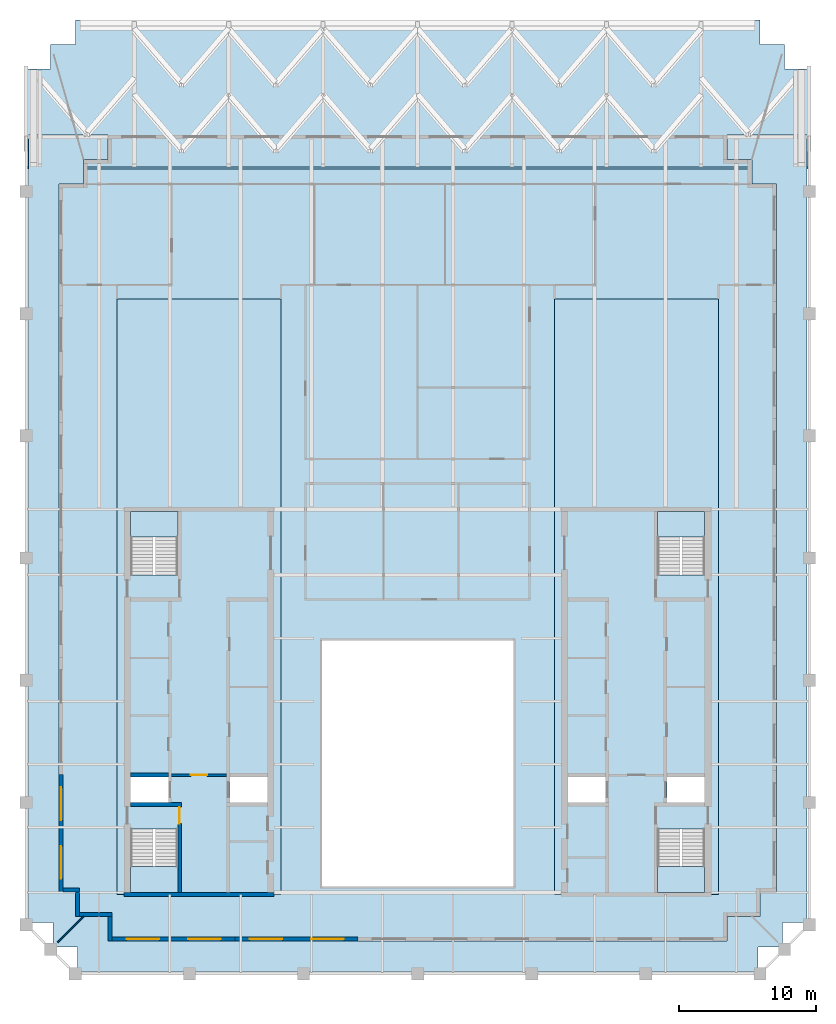
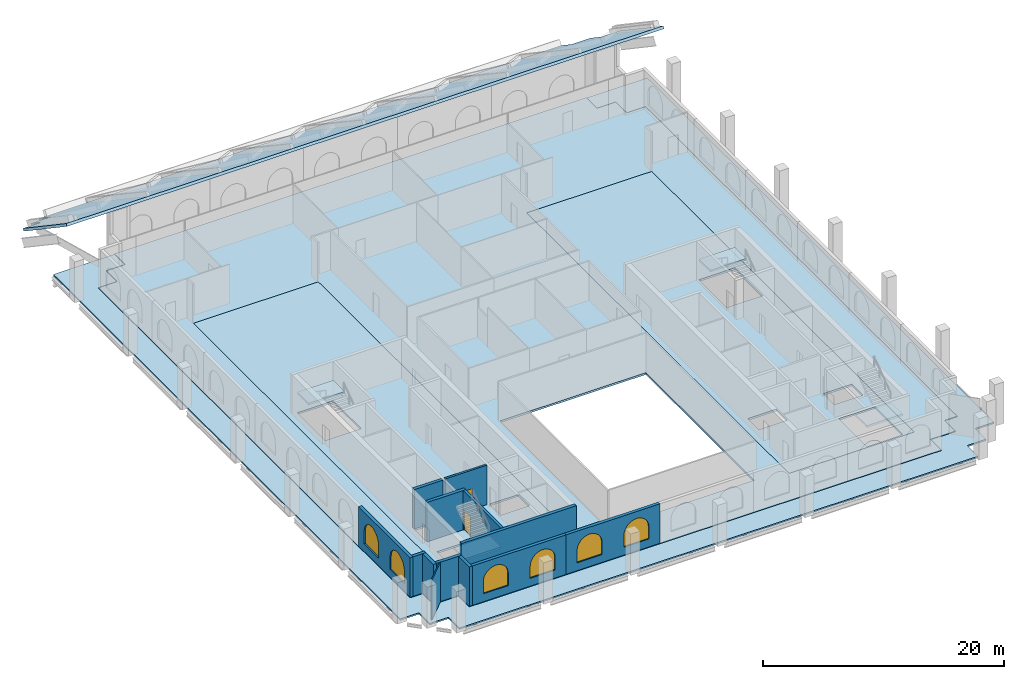
# One storey, part 2 of 10: 13 walls, 9 slabs, 6 windows, 2 doors, 8 openings, 4 elements without a shape of their own.
"""IFC4 building model written with IfcOpenShell, lengths in metres."""

import ifcopenshell
import ifcopenshell.guid

model = None  # the IFC model being written
_history = None  # IfcOwnerHistory: only IFC2X3 demands one
_inside = {}  # id of a spatial element -> (the spatial element, [elements in it])
_under = {}  # id of a project, library or spatial element -> (it, [spatial elements below it])
_declared = {}  # id of a project -> (the project, [libraries it declares])
_typed = {}  # id of a type object -> (the type object, [elements of that type])
_made_of = {}  # id of a material, layer set ... -> (it, [elements and type objects made of it])


def new_model(schema):
    """Start an empty IFC model of exactly this schema.

    Asked for "IFC4X3", IfcOpenShell would pick the latest addendum, in which some entities
    have other attributes; the version numbers below select the first issue.
    IFC2X3 requires an IfcOwnerHistory on every rooted entity: one is made here for all.
    """
    global model, _history
    if schema == "IFC4X3":
        model = ifcopenshell.file(schema_version=(4, 3, 0, 0))
    else:
        model = ifcopenshell.file(schema=schema)
    _inside.clear()
    _under.clear()
    _declared.clear()
    _typed.clear()
    _made_of.clear()
    _history = None
    if model.schema == "IFC2X3":
        org = make("IfcOrganization", Name="unknown")
        user = make(
            "IfcPersonAndOrganization",
            ThePerson=make("IfcPerson", FamilyName="unknown"),
            TheOrganization=org,
        )
        app = make(
            "IfcApplication",
            ApplicationDeveloper=org,
            Version="unknown",
            ApplicationFullName="unknown",
            ApplicationIdentifier="unknown",
        )
        _history = make(
            "IfcOwnerHistory",
            OwningUser=user,
            OwningApplication=app,
            ChangeAction="ADDED",
            CreationDate=0,
        )
    return model


def make(cls, **values):
    """One entity of the class cls with the attributes given. An attribute that is None is left unset."""
    return model.create_entity(
        cls, **{name: value for name, value in values.items() if value is not None}
    )


def rooted(cls, **values):
    """An entity with a GlobalId (a new one), such as an element, a storey or a relation."""
    return make(cls, GlobalId=ifcopenshell.guid.new(), OwnerHistory=_history, **values)


def si_unit(unit_type, name, prefix=None):
    """IfcSIUnit, for example si_unit("LENGTHUNIT", "METRE", prefix="MILLI")."""
    return make("IfcSIUnit", UnitType=unit_type, Prefix=prefix, Name=name)


def assignment(units):
    """IfcUnitAssignment: the units of a project."""
    return None if units is None else make("IfcUnitAssignment", Units=units)


def point(xyz):
    """IfcCartesianPoint."""
    return None if xyz is None else make("IfcCartesianPoint", Coordinates=xyz)


def direction(xyz):
    """IfcDirection."""
    return None if xyz is None else make("IfcDirection", DirectionRatios=xyz)


def frame(location, z_axis=None, x_axis=None):
    """IfcAxis2Placement3D, a coordinate frame: its origin and axes. An axis left out is left unset."""
    return make(
        "IfcAxis2Placement3D",
        Location=point(location),
        Axis=direction(z_axis),
        RefDirection=direction(x_axis),
    )


def frame_2d(location, x_axis=None):
    """IfcAxis2Placement2D, a coordinate frame in the plane: its origin and x axis."""
    return make(
        "IfcAxis2Placement2D", Location=point(location), RefDirection=direction(x_axis)
    )


def origin():
    """The frame at (0, 0, 0) with its axes left unset."""
    return frame((0.0, 0.0, 0.0))


def place(relative_to, where):
    """IfcLocalPlacement: puts the frame where relative to a parent placement (None: the world)."""
    return make(
        "IfcLocalPlacement", PlacementRelTo=relative_to, RelativePlacement=where
    )


def context(
    kind, dimensions, precision=None, world=None, true_north=None, identifier=None
):
    """IfcGeometricRepresentationContext, for example the 3D "Model" context."""
    return make(
        "IfcGeometricRepresentationContext",
        ContextIdentifier=identifier,
        ContextType=kind,
        CoordinateSpaceDimension=dimensions,
        Precision=precision,
        WorldCoordinateSystem=world,
        TrueNorth=true_north,
    )


def subcontext(parent, identifier, kind, view, scale=None):
    """IfcGeometricRepresentationSubContext, for example "Body" below "Model"."""
    return make(
        "IfcGeometricRepresentationSubContext",
        ContextIdentifier=identifier,
        ContextType=kind,
        ParentContext=parent,
        TargetScale=scale,
        TargetView=view,
    )


def project(units=None, contexts=None):
    """IfcProject with its units and contexts."""
    return rooted(
        "IfcProject",
        Name="project",
        RepresentationContexts=contexts,
        UnitsInContext=assignment(units),
    )


def spatial(cls, under=None, at=None, **own):
    """A site, building, storey or space (cls), placed at a placement, below another one or the project."""
    s = rooted(cls, ObjectPlacement=at, **own)
    if under is not None:
        _under.setdefault(under.id(), (under, []))[1].append(s)
    return s


def polyline(points):
    """IfcPolyline through the points."""
    return make("IfcPolyline", Points=[point(p) for p in points])


def profile(cls, at=None, kind="AREA", **sizes):
    """A parametric profile (cls). Its sizes go by their IFC names, for example OverallWidth=200.0."""
    return make(cls, ProfileType=kind, Position=at, **sizes)


def rectangle(**sizes):
    """IfcRectangleProfileDef."""
    return profile("IfcRectangleProfileDef", **sizes)


def outline(outer, holes=None, kind="AREA"):
    """IfcArbitraryClosedProfileDef: a profile drawn as a closed curve; with holes, ...WithVoids."""
    if holes is None:
        return make("IfcArbitraryClosedProfileDef", ProfileType=kind, OuterCurve=outer)
    return make(
        "IfcArbitraryProfileDefWithVoids",
        ProfileType=kind,
        OuterCurve=outer,
        InnerCurves=holes,
    )


def extrude(swept, where, along, depth):
    """IfcExtrudedAreaSolid: the profile swept, set in the frame where, extruded along a direction by depth."""
    return make(
        "IfcExtrudedAreaSolid",
        SweptArea=swept,
        Position=where,
        ExtrudedDirection=direction(along),
        Depth=depth,
    )


def shape(context_of_items, identifier, shape_type, items):
    """IfcShapeRepresentation: the items that make up one representation, for example the "Body"."""
    return make(
        "IfcShapeRepresentation",
        ContextOfItems=context_of_items,
        RepresentationIdentifier=identifier,
        RepresentationType=shape_type,
        Items=items,
    )


def material(Name=None, Category=None):
    """IfcMaterial."""
    return make("IfcMaterial", Name=Name, Category=Category)


def layer(
    of_material, thickness, ventilated=None, Name=None, Category=None, Priority=None
):
    """IfcMaterialLayer: one layer of a wall or slab, of a material (None: an air gap)."""
    return make(
        "IfcMaterialLayer",
        Material=of_material,
        LayerThickness=thickness,
        IsVentilated=ventilated,
        Name=Name,
        Category=Category,
        Priority=Priority,
    )


def layer_set(layers, Name=None):
    """IfcMaterialLayerSet."""
    return make("IfcMaterialLayerSet", MaterialLayers=layers, LayerSetName=Name)


def made_of(thing, what):
    """Note that an element or type object is made of a material, layer set ...; save() writes the relation."""
    if what is not None:
        _made_of.setdefault(what.id(), (what, []))[1].append(thing)
    return thing


def type_object(cls, material=None, **own):
    """A type object (cls), such as IfcWallType, which elements share."""
    return made_of(rooted(cls, **own), material)


def element(
    cls,
    number,
    at=None,
    inside=None,
    cuts=None,
    type_object=None,
    material=None,
    context=None,
    identifier="Body",
    shape_type=None,
    held_by="IfcProductDefinitionShape",
    body=None,
    shapes=None,
    **own,
):
    """One element of the class cls, such as IfcWall. Its Tag is "e" and its number.

    at: its placement. inside: the storey or other place that contains it. cuts: it is an
    opening in that element (IfcRelVoidsElement). A single representation is given by context,
    identifier, shape_type and body (its items); several are given by shapes. held_by: the class
    of the entity that holds the representations. save() writes the other relations.
    """
    e = rooted(cls, Tag="e%d" % number, ObjectPlacement=at, **own)
    if body is not None:
        shapes = [shape(context, identifier, shape_type, body)]
    if shapes is not None:
        e.Representation = make(held_by, Representations=shapes)
    if inside is not None:
        _inside.setdefault(inside.id(), (inside, []))[1].append(e)
    if cuts is not None:
        rooted(
            "IfcRelVoidsElement", RelatingBuildingElement=cuts, RelatedOpeningElement=e
        )
    if type_object is not None:
        _typed.setdefault(type_object.id(), (type_object, []))[1].append(e)
    return made_of(e, material)


def fill(opening, filler):
    """IfcRelFillsElement: the door or window that sits in an opening."""
    return rooted(
        "IfcRelFillsElement",
        RelatingOpeningElement=opening,
        RelatedBuildingElement=filler,
    )


def aggregate(whole, parts):
    """IfcRelAggregates: a whole, such as a stair, and the parts it consists of."""
    return rooted("IfcRelAggregates", RelatingObject=whole, RelatedObjects=parts)


def save(model, path):
    """Write the relations noted so far, then the file.

    IfcRelAggregates (storeys below a building ...), IfcRelContainedInSpatialStructure (elements
    in a storey), IfcRelDefinesByType, IfcRelAssociatesMaterial and IfcRelDeclares: one each for
    every whole, place, type object, material and project.
    """
    for whole, parts in _under.values():
        aggregate(whole, parts)
    for where, things in _inside.values():
        rooted(
            "IfcRelContainedInSpatialStructure",
            RelatedElements=things,
            RelatingStructure=where,
        )
    for kind, things in _typed.values():
        rooted("IfcRelDefinesByType", RelatedObjects=things, RelatingType=kind)
    for what, things in _made_of.values():
        rooted("IfcRelAssociatesMaterial", RelatedObjects=things, RelatingMaterial=what)
    for by, libraries in _declared.values():
        rooted("IfcRelDeclares", RelatingContext=by, RelatedDefinitions=libraries)
    model.write(path)


model = new_model("IFC4")

# Units and contexts
model_context = context("Model", 3, precision=1e-05, world=origin(), true_north=direction((0.0, 1.0)))
body_context = subcontext(model_context, "Body", "Model", "MODEL_VIEW")
ifc_project = project(units=[si_unit("LENGTHUNIT", "METRE"), si_unit("AREAUNIT", "SQUARE_METRE"), si_unit("VOLUMEUNIT", "CUBIC_METRE"), si_unit("PLANEANGLEUNIT", "RADIAN"), si_unit("MASSUNIT", "GRAM", prefix="KILO")], contexts=[model_context])

# Site, building, storey
site_placement = place(None, origin())
site = spatial("IfcSite", under=ifc_project, at=site_placement, CompositionType="ELEMENT")
building_placement = place(site_placement, origin())
building = spatial("IfcBuilding", under=site, at=building_placement, Name="Ogive Exchange Tower", CompositionType="ELEMENT")
storey_placement = place(building_placement, frame((0.0, 0.0, 369.0)))
storey = spatial("IfcBuildingStorey", under=building, at=storey_placement, Name="C01", CompositionType="ELEMENT", Elevation=369.0)

# Slabs
ifc_material_1 = material(Name="Concrete C50/60", Category="concrete")
ifc_layer_1 = layer(ifc_material_1, 0.199951171875)
ifc_layer_set_1 = layer_set([ifc_layer_1], Name="Composite floor slab 200")
slab_type_1 = type_object("IfcSlabType", Name="Composite floor slab 200", PredefinedType="FLOOR", material=ifc_layer_set_1)
slab_1_placement = place(storey_placement, frame((0.0, 0.0, -0.199951171875)))
element("IfcSlab", 1, at=slab_1_placement, inside=storey, type_object=slab_type_1, Name="Composite floor slab", PredefinedType="FLOOR", context=body_context, shape_type="SweptSolid", body=[
    extrude(outline(polyline([(-24.449951171875, -2.39990234375), (-24.449951171875, -2.39990234375), (-26.25, -2.39990234375), (-26.25, 49.39990234375), (-24.449951171875, 49.39990234375), (-24.449951171875, 51.199951171875), (-22.64990234375, 51.199951171875), (-22.64990234375, 53.0), (22.64990234375, 53.0), (22.64990234375, 51.199951171875), (24.449951171875, 51.199951171875), (24.449951171875, 49.39990234375), (26.25, 49.39990234375), (26.25, -2.39990234375), (24.449951171875, -2.39990234375), (24.449951171875, -2.39990234375), (25.050048828125, -2.39990234375), (25.050048828125, -4.199951171875), (24.449951171875, -4.199951171875), (24.449951171875, -4.199951171875), (22.64990234375, -4.199951171875), (22.64990234375, -6.0), (-22.64990234375, -6.0), (-22.64990234375, -4.199951171875), (-24.449951171875, -4.199951171875), (-24.449951171875, -4.199951171875), (-25.050048828125, -4.199951171875), (-25.050048828125, -2.39990234375), (-24.449951171875, -2.39990234375)]), holes=[polyline([(7.0, -2.0), (7.0, 16.0), (-7.0, 16.0), (-7.0, -2.0), (7.0, -2.0)]), polyline([(-22.0, -2.60009765625), (-10.0, -2.60009765625), (-10.0, 41.0), (-22.0, 41.0), (-22.0, -2.60009765625)]), polyline([(10.0, -2.60009765625), (22.0, -2.60009765625), (22.0, 41.0), (10.0, 41.0), (10.0, -2.60009765625)])]), origin(), (0.0, 0.0, 1.0), 0.199951171875),
])
ifc_material_2 = material(Name="Concrete C70/85", Category="concrete")
ifc_layer_2 = layer(ifc_material_2, 0.199951171875)
ifc_layer_set_2 = layer_set([ifc_layer_2], Name="Core floor slab 200")
slab_type_2 = type_object("IfcSlabType", Name="Core floor slab 200", PredefinedType="FLOOR", material=ifc_layer_set_2)
slab_2_placement = place(storey_placement, frame((0.0, 0.0, -0.199951171875)))
element("IfcSlab", 2, at=slab_2_placement, inside=storey, type_object=slab_type_2, Name="Core floor slab", PredefinedType="FLOOR", context=body_context, shape_type="SweptSolid", body=[
    extrude(outline(polyline([(-22.0, 41.0), (-10.0, 41.0), (-10.0, -2.60009765625), (-22.0, -2.60009765625), (-22.0, 41.0)]), holes=[polyline([(-17.550048828125, 2.196044921875), (-21.0, 2.196044921875), (-21.0, -2.449951171875), (-17.550048828125, -2.449951171875), (-17.550048828125, 2.196044921875)]), polyline([(-21.0, 5.992919921875), (-21.0, 4.14990234375), (-18.25, 4.14990234375), (-18.25, 5.992919921875), (-21.0, 5.992919921875)]), polyline([(-13.75, 5.992919921875), (-13.75, 4.14990234375), (-11.0, 4.14990234375), (-11.0, 5.992919921875), (-13.75, 5.992919921875)]), polyline([(-21.0, 20.803955078125), (-17.550048828125, 20.803955078125), (-17.550048828125, 25.449951171875), (-21.0, 25.449951171875), (-21.0, 20.803955078125)])]), origin(), (0.0, 0.0, 1.0), 0.199951171875),
])
slab_3_placement = place(storey_placement, frame((0.0, 0.0, -0.199951171875)))
element("IfcSlab", 3, at=slab_3_placement, inside=storey, type_object=slab_type_2, Name="Core floor slab", PredefinedType="FLOOR", context=body_context, shape_type="SweptSolid", body=[
    extrude(outline(polyline([(10.0, 41.0), (22.0, 41.0), (22.0, -2.60009765625), (10.0, -2.60009765625), (10.0, 41.0)]), holes=[polyline([(21.0, 2.196044921875), (17.550048828125, 2.196044921875), (17.550048828125, -2.449951171875), (21.0, -2.449951171875), (21.0, 2.196044921875)]), polyline([(11.0, 5.992919921875), (11.0, 4.14990234375), (13.75, 4.14990234375), (13.75, 5.992919921875), (11.0, 5.992919921875)]), polyline([(18.25, 5.992919921875), (18.25, 4.14990234375), (21.0, 4.14990234375), (21.0, 5.992919921875), (18.25, 5.992919921875)]), polyline([(17.550048828125, 20.803955078125), (21.0, 20.803955078125), (21.0, 25.449951171875), (17.550048828125, 25.449951171875), (17.550048828125, 20.803955078125)])]), origin(), (0.0, 0.0, 1.0), 0.199951171875),
])
ifc_material_3 = material(Name="Precast concrete C40/50", Category="concrete")
ifc_layer_3 = layer(ifc_material_3, 0.25)
ifc_layer_set_3 = layer_set([ifc_layer_3], Name="Crown roof plane 250")
slab_type_3 = type_object("IfcSlabType", Name="Crown roof plane 250", PredefinedType="ROOF", material=ifc_layer_set_3)
slab_4_placement = place(storey_placement, frame((-26.85009765625, 57.800048828125, 1.762451171875), z_axis=(0.0, 0.559209119586, 0.829026634416), x_axis=(0.0, 0.829026634416, -0.559209119586)))
element("IfcSlab", 4, at=slab_4_placement, inside=storey, type_object=slab_type_3, Name="Crown roof plane", PredefinedType="ROOF", context=body_context, shape_type="SweptSolid", body=[
    extrude(outline(polyline([(0.0, 0.0), (2.1713670743098588, 0.0), (2.1713670743098588, -1.800048828125), (4.342395223875088, -1.800048828125), (4.342395223875088, -51.900146484375), (2.1713670743098588, -51.900146484375), (2.1713670743098588, -53.7001953125), (0.0, -53.7001953125), (0.0, -55.5), (-8.65113382418173, -55.5), (-8.65113382418173, 1.7998046875), (0.0, 1.7998046875), (0.0, 0.0)])), origin(), (0.0, 0.0, -1.0), 0.25),
])
ifc_layer_4 = layer(ifc_material_1, 0.14990234375)
ifc_layer_set_4 = layer_set([ifc_layer_4], Name="Loggia deck 150")
slab_type_4 = type_object("IfcSlabType", Name="Loggia deck 150", PredefinedType="FLOOR", material=ifc_layer_set_4)
slab_5_placement = place(storey_placement, frame((0.0, 0.0, -0.199951171875)))
element("IfcSlab", 5, at=slab_5_placement, inside=storey, type_object=slab_type_4, Name="Loggia deck", PredefinedType="FLOOR", context=body_context, shape_type="SweptSolid", body=[
    extrude(outline(polyline([(-26.695068359375, -4.64501953125), (-28.4951171875, -4.64501953125), (-28.4951171875, 53.0), (-22.64990234375, 53.0), (-22.64990234375, 51.199951171875), (-24.449951171875, 51.199951171875), (-24.449951171875, 49.39990234375), (-26.25, 49.39990234375), (-26.25, -2.39990234375), (-24.449951171875, -2.39990234375), (-24.449951171875, -2.39990234375), (-25.050048828125, -2.39990234375), (-25.050048828125, -4.199951171875), (-24.449951171875, -4.199951171875), (-24.449951171875, -4.199951171875), (-22.64990234375, -4.199951171875), (-22.64990234375, -6.0), (22.64990234375, -6.0), (22.64990234375, -4.199951171875), (24.449951171875, -4.199951171875), (24.449951171875, -4.199951171875), (25.050048828125, -4.199951171875), (25.050048828125, -2.39990234375), (24.449951171875, -2.39990234375), (24.449951171875, -2.39990234375), (26.25, -2.39990234375), (26.25, 49.39990234375), (24.449951171875, 49.39990234375), (24.449951171875, 51.199951171875), (22.64990234375, 51.199951171875), (22.64990234375, 53.0), (28.4951171875, 53.0), (28.4951171875, -4.64501953125), (26.695068359375, -4.64501953125), (26.695068359375, -6.445068359375), (24.89501953125, -6.445068359375), (24.89501953125, -8.2451171875), (-24.89501953125, -8.2451171875), (-24.89501953125, -6.445068359375), (-26.695068359375, -6.445068359375), (-26.695068359375, -4.64501953125)])), origin(), (0.0, 0.0, 1.0), 0.14990234375),
])

# Stair, slab
ifc_material_4 = material(Name="Concrete C40/50", Category="concrete")
stair_type = type_object("IfcStairType", Name="Exit stair 1650 wide", PredefinedType="HALF_TURN_STAIR", material=ifc_material_4)
stair_1_placement = place(storey_placement, origin())
stair_1 = element("IfcStair", 6, at=stair_1_placement, inside=storey, type_object=stair_type, Name="C01 exit stair ST1", PredefinedType="HALF_TURN_STAIR")
ifc_layer_5 = layer(ifc_material_4, 0.199951171875)
ifc_layer_set_5 = layer_set([ifc_layer_5], Name="Stair landing 200 slab")
slab_type_5 = type_object("IfcSlabType", Name="Stair landing 200 slab", PredefinedType="LANDING", material=ifc_layer_set_5)
slab_6_placement = place(storey_placement, frame((0.0, 0.0, 1.89990234375)))
slab_6 = element("IfcSlab", 7, at=slab_6_placement, type_object=slab_type_5, Name="ST1 landing 1", PredefinedType="LANDING", context=body_context, shape_type="SweptSolid", body=[
    extrude(outline(polyline([(-21.0, -0.550048828125), (-21.0, -2.449951171875), (-17.550048828125, -2.449951171875), (-17.550048828125, -0.550048828125), (-21.0, -0.550048828125)])), origin(), (0.0, 0.0, 1.0), 0.2001953125),
])
aggregate(stair_1, [slab_6])

stair_2_placement = place(storey_placement, origin())
stair_2 = element("IfcStair", 8, at=stair_2_placement, inside=storey, type_object=stair_type, Name="C01 exit stair ST2", PredefinedType="HALF_TURN_STAIR")
slab_7_placement = place(storey_placement, frame((0.0, 0.0, 1.89990234375)))
slab_7 = element("IfcSlab", 9, at=slab_7_placement, type_object=slab_type_5, Name="ST2 landing 1", PredefinedType="LANDING", context=body_context, shape_type="SweptSolid", body=[
    extrude(outline(polyline([(-17.550048828125, 23.550048828125), (-17.550048828125, 25.449951171875), (-21.0, 25.449951171875), (-21.0, 23.550048828125), (-17.550048828125, 23.550048828125)])), origin(), (0.0, 0.0, 1.0), 0.2001953125),
])
aggregate(stair_2, [slab_7])

stair_3_placement = place(storey_placement, origin())
stair_3 = element("IfcStair", 10, at=stair_3_placement, inside=storey, type_object=stair_type, Name="C01 exit stair ST3", PredefinedType="HALF_TURN_STAIR")
slab_8_placement = place(storey_placement, frame((0.0, 0.0, 1.89990234375)))
slab_8 = element("IfcSlab", 11, at=slab_8_placement, type_object=slab_type_5, Name="ST3 landing 1", PredefinedType="LANDING", context=body_context, shape_type="SweptSolid", body=[
    extrude(outline(polyline([(17.550048828125, -0.550048828125), (17.550048828125, -2.449951171875), (21.0, -2.449951171875), (21.0, -0.550048828125), (17.550048828125, -0.550048828125)])), origin(), (0.0, 0.0, 1.0), 0.2001953125),
])
aggregate(stair_3, [slab_8])

stair_4_placement = place(storey_placement, origin())
stair_4 = element("IfcStair", 12, at=stair_4_placement, inside=storey, type_object=stair_type, Name="C01 exit stair ST4", PredefinedType="HALF_TURN_STAIR")
slab_9_placement = place(storey_placement, frame((0.0, 0.0, 1.89990234375)))
slab_9 = element("IfcSlab", 13, at=slab_9_placement, type_object=slab_type_5, Name="ST4 landing 1", PredefinedType="LANDING", context=body_context, shape_type="SweptSolid", body=[
    extrude(outline(polyline([(21.0, 23.550048828125), (21.0, 25.449951171875), (17.550048828125, 25.449951171875), (17.550048828125, 23.550048828125), (21.0, 23.550048828125)])), origin(), (0.0, 0.0, 1.0), 0.2001953125),
])
aggregate(stair_4, [slab_9])

# Wall
ifc_material_5 = material(Name="Laminated safety glass in steel frame", Category="steel")
ifc_layer_6 = layer(ifc_material_5, 0.10009765625)
ifc_layer_set_6 = layer_set([ifc_layer_6], Name="Loggia end screen 100")
wall_type_1 = type_object("IfcWallType", Name="Loggia end screen 100", PredefinedType="STANDARD", material=ifc_layer_set_6)
wall_1_placement = place(storey_placement, frame((-24.449951171875, -4.199951171875, -0.050048828125), z_axis=(0.0, 0.0, 1.0), x_axis=(-0.707106781187, -0.707106781187, 0.0)))
element("IfcWall", 14, at=wall_1_placement, inside=storey, type_object=wall_type_1, Name="Loggia end screen C4", PredefinedType="STANDARD", context=body_context, shape_type="SweptSolid", body=[
    extrude(rectangle(XDim=2.667236328125, YDim=0.10009765625, at=frame_2d((1.33349609375, 0.0))), origin(), (0.0, 0.0, 1.0), 4.050048828125),
])

# Wall, opening, door
ifc_layer_7 = layer(ifc_material_2, 0.199951171875)
ifc_layer_set_7 = layer_set([ifc_layer_7], Name="RC core wall 200 C70/85")
wall_type_2 = type_object("IfcWallType", Name="RC core wall 200 C70/85", PredefinedType="SHEAR", material=ifc_layer_set_7)
wall_2_placement = place(storey_placement, frame((-18.0, 6.142822265625, 0.0), z_axis=(0.0, 0.0, 1.0), x_axis=(1.0, 0.0, 0.0)))
wall_2 = element("IfcWall", 15, at=wall_2_placement, inside=storey, type_object=wall_type_2, Name="W firefighting lobby wall", PredefinedType="SHEAR", context=body_context, shape_type="SweptSolid", body=[
    extrude(rectangle(XDim=4.0, YDim=0.199951171875, at=frame_2d((2.0, 0.0))), origin(), (0.0, 0.0, 1.0), 4.0),
])
opening_1_placement = place(wall_2_placement, frame((1.39990234375, 0.0, 0.0)))
opening_1 = element("IfcOpeningElement", 16, at=opening_1_placement, cuts=wall_2, Name="Opening C01-C08", PredefinedType="OPENING", context=body_context, shape_type="SweptSolid", body=[
    extrude(rectangle(XDim=1.199951171875, YDim=2.10009765625, at=frame_2d((0.60009765625, 1.050048828125))), frame((0.0, 0.10986328125, 0.0), z_axis=(0.0, -1.0, 0.0), x_axis=(1.0, 0.0, 0.0)), (0.0, 0.0, 1.0), 0.219970703125),
])
ifc_material_6 = material(Name="Steel fire door", Category="steel")
door_type_1 = type_object("IfcDoorType", Name="Firefighting lobby door FD60 1200 x 2100", OperationType="NOTDEFINED", PredefinedType="DOOR", material=ifc_material_6)
door_1_placement = place(opening_1_placement, frame((1.199951171875, 0.0, 0.0), z_axis=(0.0, 0.0, 1.0), x_axis=(-1.0, 0.0, 0.0)))
door_1 = element("IfcDoor", 17, at=door_1_placement, inside=storey, type_object=door_type_1, Name="Firefighting lobby door", ObjectType="CD3", OperationType="SINGLE_SWING_LEFT", OverallHeight=2.10009765625, OverallWidth=1.199951171875, PredefinedType="DOOR", context=body_context, shape_type="SweptSolid", body=[
    extrude(rectangle(XDim=1.199951171875, YDim=2.10009765625, at=frame_2d((0.60009765625, 1.050048828125))), frame((0.0, 0.02490234375, 0.0), z_axis=(0.0, -1.0, 0.0), x_axis=(1.0, 0.0, 0.0)), (0.0, 0.0, 1.0), 0.050048828125),
])
fill(opening_1, door_1)

ifc_layer_8 = layer(ifc_material_2, 0.25)
ifc_layer_set_8 = layer_set([ifc_layer_8], Name="RC core wall 250 C70/85")
wall_type_3 = type_object("IfcWallType", Name="RC core wall 250 C70/85", PredefinedType="SHEAR", material=ifc_layer_set_8)
wall_3_placement = place(storey_placement, frame((-17.425048828125, -2.449951171875, 0.0), z_axis=(0.0, 0.0, 1.0), x_axis=(0.0, 1.0, 0.0)))
wall_3 = element("IfcWall", 18, at=wall_3_placement, inside=storey, type_object=wall_type_3, Name="W stair S front wall", PredefinedType="SHEAR", context=body_context, shape_type="SweptSolid", body=[
    extrude(rectangle(XDim=6.300048828125, YDim=0.25, at=frame_2d((3.14990234375, 0.0))), origin(), (0.0, 0.0, 1.0), 4.0),
])
opening_2_placement = place(wall_3_placement, frame((5.050048828125, 0.0, 0.0)))
opening_2 = element("IfcOpeningElement", 19, at=opening_2_placement, cuts=wall_3, Name="Opening C01-C10", PredefinedType="OPENING", context=body_context, shape_type="SweptSolid", body=[
    extrude(rectangle(XDim=1.199951171875, YDim=2.10009765625, at=frame_2d((0.60009765625, 1.050048828125))), frame((0.0, 0.135009765625, 0.0), z_axis=(0.0, -1.0, 0.0), x_axis=(1.0, 0.0, 0.0)), (0.0, 0.0, 1.0), 0.27001953125),
])
door_type_2 = type_object("IfcDoorType", Name="Stair door FD90 1200 x 2100", OperationType="NOTDEFINED", PredefinedType="DOOR", material=ifc_material_6)
door_2_placement = place(opening_2_placement, origin())
door_2 = element("IfcDoor", 20, at=door_2_placement, inside=storey, type_object=door_type_2, Name="Stair door", ObjectType="CD5", OperationType="SINGLE_SWING_LEFT", OverallHeight=2.10009765625, OverallWidth=1.199951171875, PredefinedType="DOOR", context=body_context, shape_type="SweptSolid", body=[
    extrude(rectangle(XDim=1.199951171875, YDim=2.10009765625, at=frame_2d((0.60009765625, 1.050048828125))), frame((0.0, 0.02490234375, 0.0), z_axis=(0.0, -1.0, 0.0), x_axis=(1.0, 0.0, 0.0)), (0.0, 0.0, 1.0), 0.050048828125),
])
fill(opening_2, door_2)

# Walls
ifc_layer_9 = layer(ifc_material_2, 0.300048828125)
ifc_layer_set_9 = layer_set([ifc_layer_9], Name="RC core wall 300 C70/85")
wall_type_4 = type_object("IfcWallType", Name="RC core wall 300 C70/85", PredefinedType="SHEAR", material=ifc_layer_set_9)
wall_4_placement = place(storey_placement, frame((-21.5, -2.60009765625, 0.0), z_axis=(0.0, 0.0, 1.0), x_axis=(1.0, 0.0, 0.0)))
element("IfcWall", 21, at=wall_4_placement, inside=storey, type_object=wall_type_4, Name="W south end wall", PredefinedType="SHEAR", context=body_context, shape_type="SweptSolid", body=[
    extrude(rectangle(XDim=11.0, YDim=0.300048828125, at=frame_2d((5.5, 0.0))), origin(), (0.0, 0.0, 1.0), 4.0),
])
wall_5_placement = place(storey_placement, frame((-21.0, 4.0, 0.0), z_axis=(0.0, 0.0, 1.0), x_axis=(1.0, 0.0, 0.0)))
element("IfcWall", 22, at=wall_5_placement, inside=storey, type_object=wall_type_4, Name="W stair S north wall", PredefinedType="SHEAR", context=body_context, shape_type="SweptSolid", body=[
    extrude(rectangle(XDim=3.699951171875, YDim=0.300048828125, at=frame_2d((1.85009765625, 0.0))), origin(), (0.0, 0.0, 1.0), 4.0),
])
wall_6_placement = place(storey_placement, frame((-21.0, 6.142822265625, 0.0), z_axis=(0.0, 0.0, 1.0), x_axis=(1.0, 0.0, 0.0)))
element("IfcWall", 23, at=wall_6_placement, inside=storey, type_object=wall_type_4, Name="W row A divider 1", PredefinedType="SHEAR", context=body_context, shape_type="SweptSolid", body=[
    extrude(rectangle(XDim=2.75, YDim=0.300048828125, at=frame_2d((1.375, 0.0))), origin(), (0.0, 0.0, 1.0), 4.0),
])
ifc_layer_10 = layer(ifc_material_3, 0.300048828125)
ifc_layer_set_10 = layer_set([ifc_layer_10], Name="Zinc-clad crown wall 300")
wall_type_5 = type_object("IfcWallType", Name="Zinc-clad crown wall 300", PredefinedType="STANDARD", material=ifc_layer_set_10)
wall_7_placement = place(storey_placement, frame((-24.89990234375, -2.39990234375, 0.0), z_axis=(0.0, 0.0, 1.0), x_axis=(0.0, -1.0, 0.0)))
element("IfcWall", 24, at=wall_7_placement, inside=storey, type_object=wall_type_5, Name="Crown wall 1", PredefinedType="STANDARD", context=body_context, shape_type="SweptSolid", body=[
    extrude(rectangle(XDim=1.800048828125, YDim=0.300048828125, at=frame_2d((0.89990234375, 0.0))), origin(), (0.0, 0.0, 1.0), 4.0),
])
wall_8_placement = place(storey_placement, frame((-24.75, -4.050048828125, 0.0), z_axis=(0.0, 0.0, 1.0), x_axis=(1.0, 0.0, 0.0)))
element("IfcWall", 25, at=wall_8_placement, inside=storey, type_object=wall_type_5, Name="Crown wall 2", PredefinedType="STANDARD", context=body_context, shape_type="SweptSolid", body=[
    extrude(rectangle(XDim=2.39990234375, YDim=0.300048828125, at=frame_2d((1.199951171875, 0.0))), origin(), (0.0, 0.0, 1.0), 4.0),
])
wall_9_placement = place(storey_placement, frame((-22.5, -4.199951171875, 0.0), z_axis=(0.0, 0.0, 1.0), x_axis=(0.0, -1.0, 0.0)))
element("IfcWall", 26, at=wall_9_placement, inside=storey, type_object=wall_type_5, Name="Crown wall 3", PredefinedType="STANDARD", context=body_context, shape_type="SweptSolid", body=[
    extrude(rectangle(XDim=1.800048828125, YDim=0.300048828125, at=frame_2d((0.89990234375, 0.0))), origin(), (0.0, 0.0, 1.0), 4.0),
])

# Wall, openings, windows
wall_10_placement = place(storey_placement, frame((-22.35009765625, -5.85009765625, 0.0), z_axis=(0.0, 0.0, 1.0), x_axis=(1.0, 0.0, 0.0)))
wall_10 = element("IfcWall", 27, at=wall_10_placement, inside=storey, type_object=wall_type_5, Name="Crown wall 4", PredefinedType="STANDARD", context=body_context, shape_type="SweptSolid", body=[
    extrude(rectangle(XDim=9.0, YDim=0.300048828125, at=frame_2d((4.5, 0.0))), origin(), (0.0, 0.0, 1.0), 4.0),
])
opening_3_placement = place(wall_10_placement, frame((1.050048828125, 0.0, 0.800048828125)))
opening_3 = element("IfcOpeningElement", 28, at=opening_3_placement, cuts=wall_10, Name="Opening WC25", PredefinedType="OPENING", context=body_context, shape_type="SweptSolid", body=[
    extrude(outline(polyline([(0.0, 0.0), (2.39990234375, 0.0), (2.39990234375, 1.25), (2.377197265625, 1.48779296875), (2.3095703125, 1.717041015625), (2.19970703125, 1.928955078125), (2.05126953125, 2.116455078125), (1.8701171875, 2.272216796875), (1.662841796875, 2.390625), (1.4365234375, 2.467529296875), (1.199951171875, 2.5), (0.96337890625, 2.467529296875), (0.737060546875, 2.390625), (0.52978515625, 2.272216796875), (0.3486328125, 2.116455078125), (0.2001953125, 1.928955078125), (0.09033203125, 1.717041015625), (0.022705078125, 1.48779296875), (0.0, 1.25), (0.0, 0.0)])), frame((0.0, 0.159912109375, 0.0), z_axis=(0.0, -1.0, 0.0), x_axis=(1.0, 0.0, 0.0)), (0.0, 0.0, 1.0), 0.320068359375),
])
opening_4_placement = place(wall_10_placement, frame((5.550048828125, 0.0, 0.800048828125)))
opening_4 = element("IfcOpeningElement", 29, at=opening_4_placement, cuts=wall_10, Name="Opening WC25", PredefinedType="OPENING", context=body_context, shape_type="SweptSolid", body=[
    extrude(outline(polyline([(0.0, 0.0), (2.39990234375, 0.0), (2.39990234375, 1.25), (2.377197265625, 1.48779296875), (2.3095703125, 1.717041015625), (2.19970703125, 1.928955078125), (2.05126953125, 2.116455078125), (1.8701171875, 2.272216796875), (1.662841796875, 2.390625), (1.4365234375, 2.467529296875), (1.199951171875, 2.5), (0.96337890625, 2.467529296875), (0.737060546875, 2.390625), (0.52978515625, 2.272216796875), (0.3486328125, 2.116455078125), (0.2001953125, 1.928955078125), (0.09033203125, 1.717041015625), (0.022705078125, 1.48779296875), (0.0, 1.25), (0.0, 0.0)])), frame((0.0, 0.159912109375, 0.0), z_axis=(0.0, -1.0, 0.0), x_axis=(1.0, 0.0, 0.0)), (0.0, 0.0, 1.0), 0.320068359375),
])
ifc_material_7 = material(Name="Clear glass in bronze frame", Category="glass")
window_type = type_object("IfcWindowType", Name="Crown lancet window 2400 x 2500", PartitioningType="DOUBLE_PANEL_VERTICAL", PredefinedType="WINDOW", material=ifc_material_7)
window_1_placement = place(opening_3_placement, origin())
window_1 = element("IfcWindow", 30, at=window_1_placement, inside=storey, type_object=window_type, Name="Crown lancet 4.1", OverallHeight=2.5, OverallWidth=2.39990234375, PartitioningType="DOUBLE_PANEL_VERTICAL", PredefinedType="WINDOW", context=body_context, shape_type="SweptSolid", body=[
    extrude(outline(polyline([(0.0, 0.0), (2.39990234375, 0.0), (2.39990234375, 1.25), (2.377197265625, 1.48779296875), (2.3095703125, 1.717041015625), (2.19970703125, 1.928955078125), (2.05126953125, 2.116455078125), (1.8701171875, 2.272216796875), (1.662841796875, 2.390625), (1.4365234375, 2.467529296875), (1.199951171875, 2.5), (0.96337890625, 2.467529296875), (0.737060546875, 2.390625), (0.52978515625, 2.272216796875), (0.3486328125, 2.116455078125), (0.2001953125, 1.928955078125), (0.09033203125, 1.717041015625), (0.022705078125, 1.48779296875), (0.0, 1.25), (0.0, 0.0)])), frame((0.0, 0.030029296875, 0.0), z_axis=(0.0, -1.0, 0.0), x_axis=(1.0, 0.0, 0.0)), (0.0, 0.0, 1.0), 0.06005859375),
])
fill(opening_3, window_1)
window_2_placement = place(opening_4_placement, origin())
window_2 = element("IfcWindow", 31, at=window_2_placement, inside=storey, type_object=window_type, Name="Crown lancet 4.2", OverallHeight=2.5, OverallWidth=2.39990234375, PartitioningType="DOUBLE_PANEL_VERTICAL", PredefinedType="WINDOW", context=body_context, shape_type="SweptSolid", body=[
    extrude(outline(polyline([(0.0, 0.0), (2.39990234375, 0.0), (2.39990234375, 1.25), (2.377197265625, 1.48779296875), (2.3095703125, 1.717041015625), (2.19970703125, 1.928955078125), (2.05126953125, 2.116455078125), (1.8701171875, 2.272216796875), (1.662841796875, 2.390625), (1.4365234375, 2.467529296875), (1.199951171875, 2.5), (0.96337890625, 2.467529296875), (0.737060546875, 2.390625), (0.52978515625, 2.272216796875), (0.3486328125, 2.116455078125), (0.2001953125, 1.928955078125), (0.09033203125, 1.717041015625), (0.022705078125, 1.48779296875), (0.0, 1.25), (0.0, 0.0)])), frame((0.0, 0.030029296875, 0.0), z_axis=(0.0, -1.0, 0.0), x_axis=(1.0, 0.0, 0.0)), (0.0, 0.0, 1.0), 0.06005859375),
])
fill(opening_4, window_2)

wall_11_placement = place(storey_placement, frame((-13.35009765625, -5.85009765625, 0.0), z_axis=(0.0, 0.0, 1.0), x_axis=(1.0, 0.0, 0.0)))
wall_11 = element("IfcWall", 32, at=wall_11_placement, inside=storey, type_object=wall_type_5, Name="Crown wall 5", PredefinedType="STANDARD", context=body_context, shape_type="SweptSolid", body=[
    extrude(rectangle(XDim=9.0, YDim=0.300048828125, at=frame_2d((4.5, 0.0))), origin(), (0.0, 0.0, 1.0), 4.0),
])
opening_5_placement = place(wall_11_placement, frame((1.050048828125, 0.0, 0.800048828125)))
opening_5 = element("IfcOpeningElement", 33, at=opening_5_placement, cuts=wall_11, Name="Opening WC25", PredefinedType="OPENING", context=body_context, shape_type="SweptSolid", body=[
    extrude(outline(polyline([(0.0, 0.0), (2.39990234375, 0.0), (2.39990234375, 1.25), (2.377197265625, 1.48779296875), (2.3095703125, 1.717041015625), (2.19970703125, 1.928955078125), (2.05126953125, 2.116455078125), (1.8701171875, 2.272216796875), (1.662841796875, 2.390625), (1.4365234375, 2.467529296875), (1.199951171875, 2.5), (0.96337890625, 2.467529296875), (0.737060546875, 2.390625), (0.52978515625, 2.272216796875), (0.3486328125, 2.116455078125), (0.2001953125, 1.928955078125), (0.09033203125, 1.717041015625), (0.022705078125, 1.48779296875), (0.0, 1.25), (0.0, 0.0)])), frame((0.0, 0.159912109375, 0.0), z_axis=(0.0, -1.0, 0.0), x_axis=(1.0, 0.0, 0.0)), (0.0, 0.0, 1.0), 0.320068359375),
])
opening_6_placement = place(wall_11_placement, frame((5.550048828125, 0.0, 0.800048828125)))
opening_6 = element("IfcOpeningElement", 34, at=opening_6_placement, cuts=wall_11, Name="Opening WC25", PredefinedType="OPENING", context=body_context, shape_type="SweptSolid", body=[
    extrude(outline(polyline([(0.0, 0.0), (2.39990234375, 0.0), (2.39990234375, 1.25), (2.377197265625, 1.48779296875), (2.3095703125, 1.717041015625), (2.19970703125, 1.928955078125), (2.05126953125, 2.116455078125), (1.8701171875, 2.272216796875), (1.662841796875, 2.390625), (1.4365234375, 2.467529296875), (1.199951171875, 2.5), (0.96337890625, 2.467529296875), (0.737060546875, 2.390625), (0.52978515625, 2.272216796875), (0.3486328125, 2.116455078125), (0.2001953125, 1.928955078125), (0.09033203125, 1.717041015625), (0.022705078125, 1.48779296875), (0.0, 1.25), (0.0, 0.0)])), frame((0.0, 0.159912109375, 0.0), z_axis=(0.0, -1.0, 0.0), x_axis=(1.0, 0.0, 0.0)), (0.0, 0.0, 1.0), 0.320068359375),
])
window_3_placement = place(opening_5_placement, origin())
window_3 = element("IfcWindow", 35, at=window_3_placement, inside=storey, type_object=window_type, Name="Crown lancet 5.1", OverallHeight=2.5, OverallWidth=2.39990234375, PartitioningType="DOUBLE_PANEL_VERTICAL", PredefinedType="WINDOW", context=body_context, shape_type="SweptSolid", body=[
    extrude(outline(polyline([(0.0, 0.0), (2.39990234375, 0.0), (2.39990234375, 1.25), (2.377197265625, 1.48779296875), (2.3095703125, 1.717041015625), (2.19970703125, 1.928955078125), (2.05126953125, 2.116455078125), (1.8701171875, 2.272216796875), (1.662841796875, 2.390625), (1.4365234375, 2.467529296875), (1.199951171875, 2.5), (0.96337890625, 2.467529296875), (0.737060546875, 2.390625), (0.52978515625, 2.272216796875), (0.3486328125, 2.116455078125), (0.2001953125, 1.928955078125), (0.09033203125, 1.717041015625), (0.022705078125, 1.48779296875), (0.0, 1.25), (0.0, 0.0)])), frame((0.0, 0.030029296875, 0.0), z_axis=(0.0, -1.0, 0.0), x_axis=(1.0, 0.0, 0.0)), (0.0, 0.0, 1.0), 0.06005859375),
])
fill(opening_5, window_3)
window_4_placement = place(opening_6_placement, origin())
window_4 = element("IfcWindow", 36, at=window_4_placement, inside=storey, type_object=window_type, Name="Crown lancet 5.2", OverallHeight=2.5, OverallWidth=2.39990234375, PartitioningType="DOUBLE_PANEL_VERTICAL", PredefinedType="WINDOW", context=body_context, shape_type="SweptSolid", body=[
    extrude(outline(polyline([(0.0, 0.0), (2.39990234375, 0.0), (2.39990234375, 1.25), (2.377197265625, 1.48779296875), (2.3095703125, 1.717041015625), (2.19970703125, 1.928955078125), (2.05126953125, 2.116455078125), (1.8701171875, 2.272216796875), (1.662841796875, 2.390625), (1.4365234375, 2.467529296875), (1.199951171875, 2.5), (0.96337890625, 2.467529296875), (0.737060546875, 2.390625), (0.52978515625, 2.272216796875), (0.3486328125, 2.116455078125), (0.2001953125, 1.928955078125), (0.09033203125, 1.717041015625), (0.022705078125, 1.48779296875), (0.0, 1.25), (0.0, 0.0)])), frame((0.0, 0.030029296875, 0.0), z_axis=(0.0, -1.0, 0.0), x_axis=(1.0, 0.0, 0.0)), (0.0, 0.0, 1.0), 0.06005859375),
])
fill(opening_6, window_4)

wall_12_placement = place(storey_placement, frame((-26.10009765625, 6.183349609375, 0.0), z_axis=(0.0, 0.0, 1.0), x_axis=(0.0, -1.0, 0.0)))
wall_12 = element("IfcWall", 37, at=wall_12_placement, inside=storey, type_object=wall_type_5, Name="Crown wall 37", PredefinedType="STANDARD", context=body_context, shape_type="SweptSolid", body=[
    extrude(rectangle(XDim=8.583251953125, YDim=0.300048828125, at=frame_2d((4.29150390625, 0.0))), origin(), (0.0, 0.0, 1.0), 4.0),
])
opening_7_placement = place(wall_12_placement, frame((0.94580078125, 0.0, 0.800048828125)))
opening_7 = element("IfcOpeningElement", 38, at=opening_7_placement, cuts=wall_12, Name="Opening WC25", PredefinedType="OPENING", context=body_context, shape_type="SweptSolid", body=[
    extrude(outline(polyline([(0.0, 0.0), (2.39990234375, 0.0), (2.39990234375, 1.25), (2.377197265625, 1.48779296875), (2.3095703125, 1.717041015625), (2.19970703125, 1.928955078125), (2.05126953125, 2.116455078125), (1.8701171875, 2.272216796875), (1.662841796875, 2.390625), (1.4365234375, 2.467529296875), (1.199951171875, 2.5), (0.96337890625, 2.467529296875), (0.737060546875, 2.390625), (0.52978515625, 2.272216796875), (0.3486328125, 2.116455078125), (0.2001953125, 1.928955078125), (0.09033203125, 1.717041015625), (0.022705078125, 1.48779296875), (0.0, 1.25), (0.0, 0.0)])), frame((0.0, 0.159912109375, 0.0), z_axis=(0.0, -1.0, 0.0), x_axis=(1.0, 0.0, 0.0)), (0.0, 0.0, 1.0), 0.320068359375),
])
opening_8_placement = place(wall_12_placement, frame((5.237548828125, 0.0, 0.800048828125)))
opening_8 = element("IfcOpeningElement", 39, at=opening_8_placement, cuts=wall_12, Name="Opening WC25", PredefinedType="OPENING", context=body_context, shape_type="SweptSolid", body=[
    extrude(outline(polyline([(0.0, 0.0), (2.39990234375, 0.0), (2.39990234375, 1.25), (2.377197265625, 1.48779296875), (2.3095703125, 1.717041015625), (2.19970703125, 1.928955078125), (2.05126953125, 2.116455078125), (1.8701171875, 2.272216796875), (1.662841796875, 2.390625), (1.4365234375, 2.467529296875), (1.199951171875, 2.5), (0.96337890625, 2.467529296875), (0.737060546875, 2.390625), (0.52978515625, 2.272216796875), (0.3486328125, 2.116455078125), (0.2001953125, 1.928955078125), (0.09033203125, 1.717041015625), (0.022705078125, 1.48779296875), (0.0, 1.25), (0.0, 0.0)])), frame((0.0, 0.159912109375, 0.0), z_axis=(0.0, -1.0, 0.0), x_axis=(1.0, 0.0, 0.0)), (0.0, 0.0, 1.0), 0.320068359375),
])
window_5_placement = place(opening_7_placement, origin())
window_5 = element("IfcWindow", 40, at=window_5_placement, inside=storey, type_object=window_type, Name="Crown lancet 37.1", OverallHeight=2.5, OverallWidth=2.39990234375, PartitioningType="DOUBLE_PANEL_VERTICAL", PredefinedType="WINDOW", context=body_context, shape_type="SweptSolid", body=[
    extrude(outline(polyline([(0.0, 0.0), (2.39990234375, 0.0), (2.39990234375, 1.25), (2.377197265625, 1.48779296875), (2.3095703125, 1.717041015625), (2.19970703125, 1.928955078125), (2.05126953125, 2.116455078125), (1.8701171875, 2.272216796875), (1.662841796875, 2.390625), (1.4365234375, 2.467529296875), (1.199951171875, 2.5), (0.96337890625, 2.467529296875), (0.737060546875, 2.390625), (0.52978515625, 2.272216796875), (0.3486328125, 2.116455078125), (0.2001953125, 1.928955078125), (0.09033203125, 1.717041015625), (0.022705078125, 1.48779296875), (0.0, 1.25), (0.0, 0.0)])), frame((0.0, 0.030029296875, 0.0), z_axis=(0.0, -1.0, 0.0), x_axis=(1.0, 0.0, 0.0)), (0.0, 0.0, 1.0), 0.06005859375),
])
fill(opening_7, window_5)
window_6_placement = place(opening_8_placement, origin())
window_6 = element("IfcWindow", 41, at=window_6_placement, inside=storey, type_object=window_type, Name="Crown lancet 37.2", OverallHeight=2.5, OverallWidth=2.39990234375, PartitioningType="DOUBLE_PANEL_VERTICAL", PredefinedType="WINDOW", context=body_context, shape_type="SweptSolid", body=[
    extrude(outline(polyline([(0.0, 0.0), (2.39990234375, 0.0), (2.39990234375, 1.25), (2.377197265625, 1.48779296875), (2.3095703125, 1.717041015625), (2.19970703125, 1.928955078125), (2.05126953125, 2.116455078125), (1.8701171875, 2.272216796875), (1.662841796875, 2.390625), (1.4365234375, 2.467529296875), (1.199951171875, 2.5), (0.96337890625, 2.467529296875), (0.737060546875, 2.390625), (0.52978515625, 2.272216796875), (0.3486328125, 2.116455078125), (0.2001953125, 1.928955078125), (0.09033203125, 1.717041015625), (0.022705078125, 1.48779296875), (0.0, 1.25), (0.0, 0.0)])), frame((0.0, 0.030029296875, 0.0), z_axis=(0.0, -1.0, 0.0), x_axis=(1.0, 0.0, 0.0)), (0.0, 0.0, 1.0), 0.06005859375),
])
fill(opening_8, window_6)

# Wall
wall_13_placement = place(storey_placement, frame((-25.949951171875, -2.25, 0.0), z_axis=(0.0, 0.0, 1.0), x_axis=(1.0, 0.0, 0.0)))
element("IfcWall", 42, at=wall_13_placement, inside=storey, type_object=wall_type_5, Name="Crown wall 38", PredefinedType="STANDARD", context=body_context, shape_type="SweptSolid", body=[
    extrude(rectangle(XDim=1.199951171875, YDim=0.300048828125, at=frame_2d((0.60009765625, 0.0))), origin(), (0.0, 0.0, 1.0), 4.0),
])

save(model, "model.ifc")
